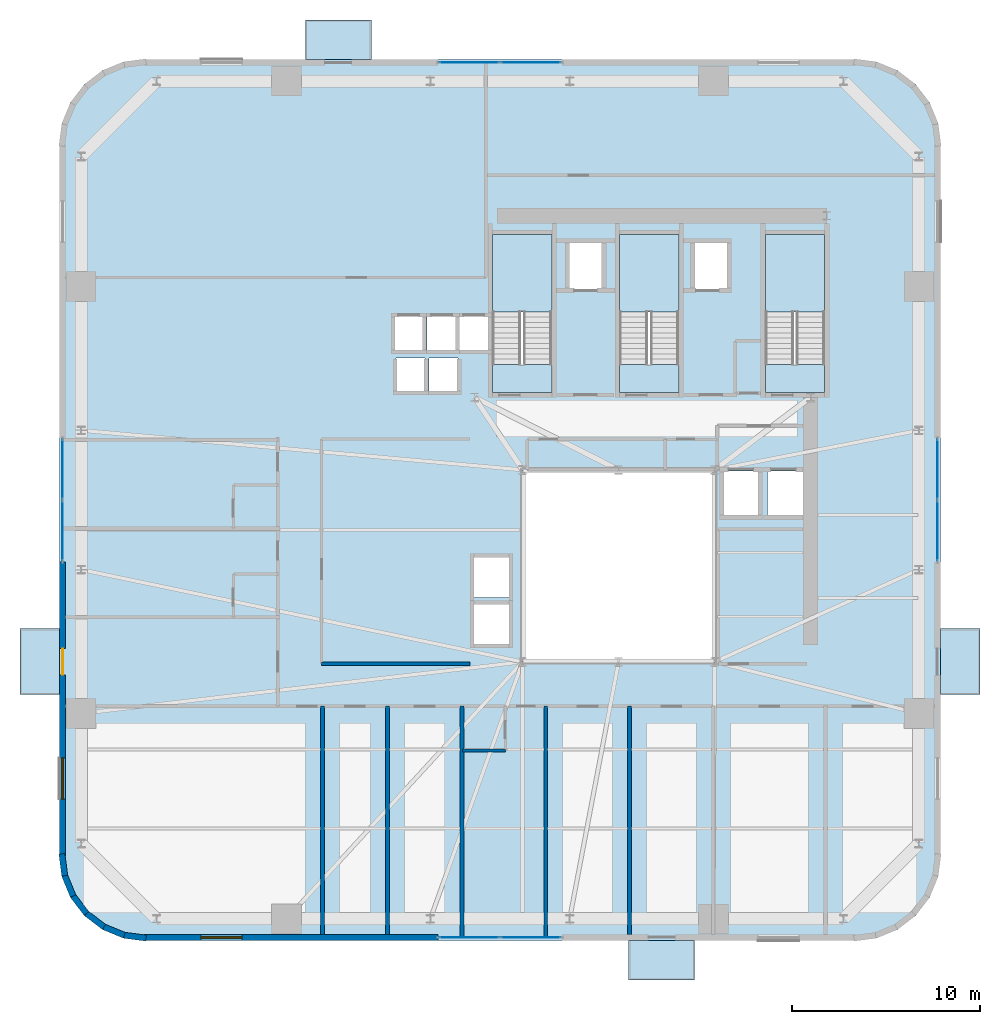
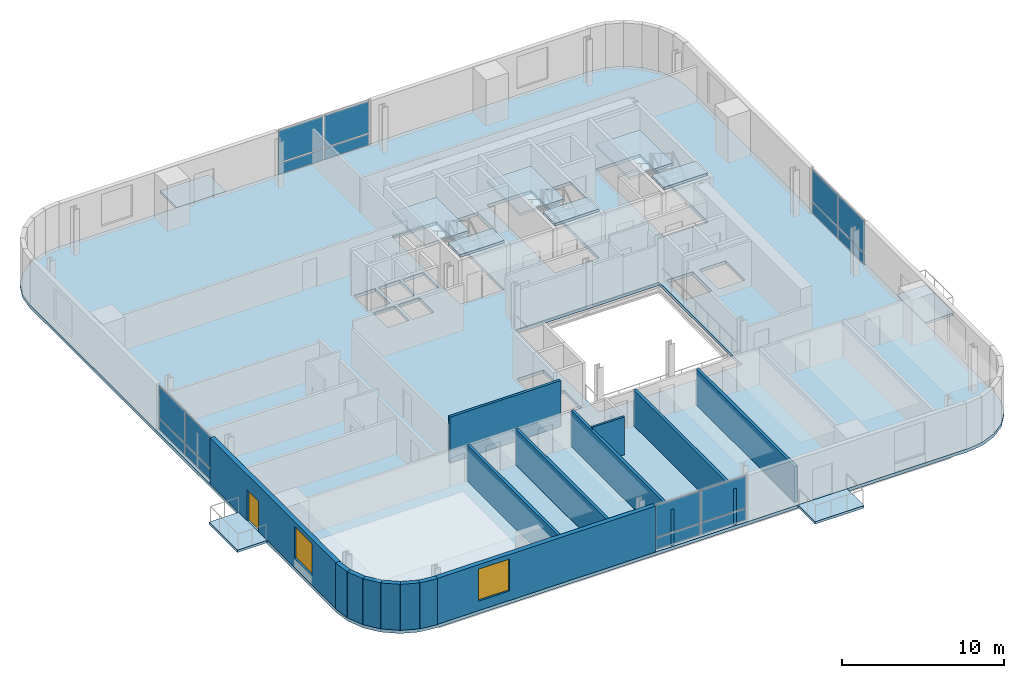
# One storey, part 5 of 14: 16 plates, 15 walls, 11 slabs, 2 windows, 1 door, 3 openings, 7 elements without a shape of their own.
"""IFC4 building model written with IfcOpenShell, lengths in metres."""

from ifc_helpers import new_model, si_unit, direction, frame, frame_2d, origin, origin_2d, place, context, subcontext, project, spatial, polyline, rectangle, outline, extrude, source, transform, mapped, material, layer, layer_set, type_object, element, fill, aggregate, save


model = new_model("IFC4")

# Units and contexts
model_context = context("Model", 3, precision=1e-05, world=origin(), true_north=direction((0.0, 1.0)))
body_context = subcontext(model_context, "Body", "Model", "MODEL_VIEW")
ifc_project = project(units=[si_unit("LENGTHUNIT", "METRE"), si_unit("AREAUNIT", "SQUARE_METRE"), si_unit("VOLUMEUNIT", "CUBIC_METRE"), si_unit("PLANEANGLEUNIT", "RADIAN"), si_unit("MASSUNIT", "GRAM", prefix="KILO")], contexts=[model_context])

# Site, building, storey
site_placement = place(None, origin())
site = spatial("IfcSite", under=ifc_project, at=site_placement, CompositionType="ELEMENT")
building_placement = place(site_placement, origin())
building = spatial("IfcBuilding", under=site, at=building_placement, Name="Vardaveli Station Tower", CompositionType="ELEMENT")
storey_placement = place(building_placement, frame((0.0, 0.0, 129.800048828125)))
storey = spatial("IfcBuildingStorey", under=building, at=storey_placement, Name="L33", CompositionType="ELEMENT", Elevation=129.800048828125)

# Stair, slabs
ifc_material_1 = material(Name="Concrete C40/50", Category="concrete")
stair_type = type_object("IfcStairType", Name="STR-CORE-1500", PredefinedType="HALF_TURN_STAIR", material=ifc_material_1)
stair_1_placement = place(storey_placement, origin())
stair_1 = element("IfcStair", 1, at=stair_1_placement, inside=storey, type_object=stair_type, Name="L33 ST-1", PredefinedType="HALF_TURN_STAIR")
ifc_layer_1 = layer(ifc_material_1, 0.199951171875, Name="Concrete C40/50")
ifc_layer_set_1 = layer_set([ifc_layer_1], Name="Concrete C40/50")
slab_type_1 = type_object("IfcSlabType", Name="SLB-LAND-200", PredefinedType="LANDING", material=ifc_layer_set_1)
slab_1_placement = place(storey_placement, frame((0.0, 0.0, 1.64990234375)))
slab_1 = element("IfcSlab", 2, at=slab_1_placement, type_object=slab_type_1, Name="ST-1 landing 1", PredefinedType="LANDING", context=body_context, shape_type="SweptSolid", body=[
    extrude(outline(polyline([(32.75, 35.199951171875), (32.75, 39.300048828125), (29.60009765625, 39.300048828125), (29.60009765625, 35.199951171875), (32.75, 35.199951171875)])), origin(), (0.0, 0.0, 1.0), 0.199951171875),
])
slab_2_placement = place(storey_placement, frame((0.0, 0.0, 3.5)))
slab_2 = element("IfcSlab", 3, at=slab_2_placement, type_object=slab_type_1, Name="ST-1 landing 2", PredefinedType="LANDING", context=body_context, shape_type="SweptSolid", body=[
    extrude(outline(polyline([(32.75, 30.89990234375), (32.75, 32.39990234375), (29.60009765625, 32.39990234375), (29.60009765625, 30.89990234375), (32.75, 30.89990234375)])), origin(), (0.0, 0.0, 1.0), 0.199951171875),
])
aggregate(stair_1, [slab_1, slab_2])

stair_2_placement = place(storey_placement, origin())
stair_2 = element("IfcStair", 4, at=stair_2_placement, inside=storey, type_object=stair_type, Name="L33 ST-2", PredefinedType="HALF_TURN_STAIR")
slab_3_placement = place(storey_placement, frame((0.0, 0.0, 1.64990234375)))
slab_3 = element("IfcSlab", 5, at=slab_3_placement, type_object=slab_type_1, Name="ST-2 landing 1", PredefinedType="LANDING", context=body_context, shape_type="SweptSolid", body=[
    extrude(outline(polyline([(39.5, 35.199951171875), (39.5, 39.300048828125), (36.35009765625, 39.300048828125), (36.35009765625, 35.199951171875), (39.5, 35.199951171875)])), origin(), (0.0, 0.0, 1.0), 0.199951171875),
])
slab_4_placement = place(storey_placement, frame((0.0, 0.0, 3.5)))
slab_4 = element("IfcSlab", 6, at=slab_4_placement, type_object=slab_type_1, Name="ST-2 landing 2", PredefinedType="LANDING", context=body_context, shape_type="SweptSolid", body=[
    extrude(outline(polyline([(39.5, 30.89990234375), (39.5, 32.39990234375), (36.35009765625, 32.39990234375), (36.35009765625, 30.89990234375), (39.5, 30.89990234375)])), origin(), (0.0, 0.0, 1.0), 0.199951171875),
])
aggregate(stair_2, [slab_3, slab_4])

stair_3_placement = place(storey_placement, origin())
stair_3 = element("IfcStair", 7, at=stair_3_placement, inside=storey, type_object=stair_type, Name="L33 ST-3", PredefinedType="HALF_TURN_STAIR")
slab_5_placement = place(storey_placement, frame((0.0, 0.0, 1.64990234375)))
slab_5 = element("IfcSlab", 8, at=slab_5_placement, type_object=slab_type_1, Name="ST-3 landing 1", PredefinedType="LANDING", context=body_context, shape_type="SweptSolid", body=[
    extrude(outline(polyline([(47.25, 35.199951171875), (47.25, 39.300048828125), (44.10009765625, 39.300048828125), (44.10009765625, 35.199951171875), (47.25, 35.199951171875)])), origin(), (0.0, 0.0, 1.0), 0.199951171875),
])
slab_6_placement = place(storey_placement, frame((0.0, 0.0, 3.5)))
slab_6 = element("IfcSlab", 9, at=slab_6_placement, type_object=slab_type_1, Name="ST-3 landing 2", PredefinedType="LANDING", context=body_context, shape_type="SweptSolid", body=[
    extrude(outline(polyline([(47.25, 30.89990234375), (47.25, 32.39990234375), (44.10009765625, 32.39990234375), (44.10009765625, 30.89990234375), (47.25, 30.89990234375)])), origin(), (0.0, 0.0, 1.0), 0.199951171875),
])
aggregate(stair_3, [slab_5, slab_6])

# Slabs
ifc_material_2 = material(Name="Precast concrete C45/55", Category="concrete")
ifc_layer_2 = layer(ifc_material_2, 0.179931640625, Name="Precast concrete C45/55")
ifc_layer_set_2 = layer_set([ifc_layer_2], Name="Precast concrete C45/55")
slab_type_2 = type_object("IfcSlabType", Name="SLB-LOGGIA-180", PredefinedType="FLOOR", material=ifc_layer_set_2)
slab_7_placement = place(storey_placement, frame((0.0, 0.0, -0.179931640625)))
element("IfcSlab", 10, at=slab_7_placement, inside=storey, type_object=slab_type_2, Name="LOG-L33-S", PredefinedType="FLOOR", context=body_context, shape_type="SweptSolid", body=[
    extrude(outline(polyline([(36.839599609375, -0.300048828125), (40.339599609375, -0.300048828125), (40.339599609375, 1.800048828125), (36.839599609375, 1.800048828125), (36.839599609375, -0.300048828125)])), origin(), (0.0, 0.0, 1.0), 0.179931640625),
])
slab_8_placement = place(storey_placement, frame((0.0, 0.0, -0.179931640625)))
element("IfcSlab", 11, at=slab_8_placement, inside=storey, type_object=slab_type_2, Name="LOG-L33-N", PredefinedType="FLOOR", context=body_context, shape_type="SweptSolid", body=[
    extrude(outline(polyline([(19.660400390625, 48.60009765625), (23.160400390625, 48.60009765625), (23.160400390625, 50.699951171875), (19.660400390625, 50.699951171875), (19.660400390625, 48.60009765625)])), origin(), (0.0, 0.0, 1.0), 0.179931640625),
])
slab_9_placement = place(storey_placement, frame((0.0, 0.0, -0.179931640625)))
element("IfcSlab", 12, at=slab_9_placement, inside=storey, type_object=slab_type_2, Name="LOG-L33-W", PredefinedType="FLOOR", context=body_context, shape_type="SweptSolid", body=[
    extrude(outline(polyline([(4.5, 14.8603515625), (6.60009765625, 14.8603515625), (6.60009765625, 18.3603515625), (4.5, 18.3603515625), (4.5, 14.8603515625)])), origin(), (0.0, 0.0, 1.0), 0.179931640625),
])
slab_10_placement = place(storey_placement, frame((0.0, 0.0, -0.179931640625)))
element("IfcSlab", 13, at=slab_10_placement, inside=storey, type_object=slab_type_2, Name="LOG-L33-E", PredefinedType="FLOOR", context=body_context, shape_type="SweptSolid", body=[
    extrude(outline(polyline([(53.39990234375, 14.8603515625), (55.5, 14.8603515625), (55.5, 18.3603515625), (53.39990234375, 18.3603515625), (53.39990234375, 14.8603515625)])), origin(), (0.0, 0.0, 1.0), 0.179931640625),
])
ifc_layer_3 = layer(ifc_material_1, 0.239990234375, Name="Concrete C40/50")
ifc_layer_set_3 = layer_set([ifc_layer_3], Name="Concrete C40/50")
slab_type_3 = type_object("IfcSlabType", Name="SLB-TOW-240", PredefinedType="FLOOR", material=ifc_layer_set_3)
slab_11_placement = place(storey_placement, frame((0.0, 0.0, -0.239990234375)))
element("IfcSlab", 14, at=slab_11_placement, inside=storey, type_object=slab_type_3, Name="SLB-L33-MAIN", PredefinedType="FLOOR", context=body_context, shape_type="SweptSolid", body=[
    extrude(outline(polyline([(6.60009765625, 6.300048828125), (6.75341796875, 5.13525390625), (7.202880859375, 4.050048828125), (7.91796875, 3.117919921875), (8.85009765625, 2.40283203125), (9.935302734375, 1.953369140625), (11.10009765625, 1.800048828125), (48.89990234375, 1.800048828125), (50.064697265625, 1.953369140625), (51.14990234375, 2.40283203125), (52.08203125, 3.117919921875), (52.797119140625, 4.050048828125), (53.24658203125, 5.13525390625), (53.39990234375, 6.300048828125), (53.39990234375, 44.10009765625), (53.24658203125, 45.2646484375), (52.797119140625, 46.35009765625), (52.08203125, 47.281982421875), (51.14990234375, 47.9970703125), (50.064697265625, 48.44677734375), (48.89990234375, 48.60009765625), (11.10009765625, 48.60009765625), (9.935302734375, 48.44677734375), (8.85009765625, 47.9970703125), (7.91796875, 47.281982421875), (7.202880859375, 46.35009765625), (6.75341796875, 45.2646484375), (6.60009765625, 44.10009765625), (6.60009765625, 6.300048828125)]), holes=[polyline([(31.199951171875, 16.60009765625), (41.39990234375, 16.60009765625), (41.39990234375, 26.800048828125), (31.199951171875, 26.800048828125), (31.199951171875, 16.60009765625)]), polyline([(32.75, 30.89990234375), (32.75, 39.300048828125), (29.60009765625, 39.300048828125), (29.60009765625, 30.89990234375), (32.75, 30.89990234375)]), polyline([(39.5, 30.89990234375), (39.5, 39.300048828125), (36.35009765625, 39.300048828125), (36.35009765625, 30.89990234375), (39.5, 30.89990234375)]), polyline([(47.25, 30.89990234375), (47.25, 39.300048828125), (44.10009765625, 39.300048828125), (44.10009765625, 30.89990234375), (47.25, 30.89990234375)]), polyline([(24.385009765625, 33.135009765625), (25.9150390625, 33.135009765625), (25.9150390625, 34.965087890625), (24.385009765625, 34.965087890625), (24.385009765625, 33.135009765625)]), polyline([(26.135009765625, 33.135009765625), (27.6650390625, 33.135009765625), (27.6650390625, 34.965087890625), (26.135009765625, 34.965087890625), (26.135009765625, 33.135009765625)]), polyline([(27.8349609375, 33.135009765625), (29.364990234375, 33.135009765625), (29.364990234375, 34.965087890625), (27.8349609375, 34.965087890625), (27.8349609375, 33.135009765625)]), polyline([(33.659912109375, 36.409912109375), (35.43994140625, 36.409912109375), (35.43994140625, 38.889892578125), (33.659912109375, 38.889892578125), (33.659912109375, 36.409912109375)]), polyline([(40.31005859375, 36.409912109375), (42.090087890625, 36.409912109375), (42.090087890625, 38.889892578125), (40.31005859375, 38.889892578125), (40.31005859375, 36.409912109375)]), polyline([(24.485107421875, 30.9599609375), (26.014892578125, 30.9599609375), (26.014892578125, 32.739990234375), (24.485107421875, 32.739990234375), (24.485107421875, 30.9599609375)]), polyline([(26.235107421875, 30.9599609375), (27.764892578125, 30.9599609375), (27.764892578125, 32.739990234375), (26.235107421875, 32.739990234375), (26.235107421875, 30.9599609375)]), polyline([(28.5849609375, 17.510009765625), (30.514892578125, 17.510009765625), (30.514892578125, 19.68994140625), (28.5849609375, 19.68994140625), (28.5849609375, 17.510009765625)]), polyline([(28.5849609375, 20.010009765625), (30.514892578125, 20.010009765625), (30.514892578125, 22.18994140625), (28.5849609375, 22.18994140625), (28.5849609375, 20.010009765625)]), polyline([(41.860107421875, 24.360107421875), (43.739990234375, 24.360107421875), (43.739990234375, 26.739990234375), (41.860107421875, 26.739990234375), (41.860107421875, 24.360107421875)]), polyline([(44.2099609375, 24.360107421875), (46.090087890625, 24.360107421875), (46.090087890625, 26.739990234375), (44.2099609375, 26.739990234375), (44.2099609375, 24.360107421875)])]), origin(), (0.0, 0.0, 1.0), 0.239990234375),
])

# Curtain wall, plates
ifc_material_3 = material(Name="Travertine stone and solar-control glass", Category="masonry")
curtain_wall_type = type_object("IfcCurtainWallType", Name="CW-SYS-2", PredefinedType="NOTDEFINED", material=ifc_material_3)
curtain_wall_1_placement = place(storey_placement, origin())
curtain_wall_1 = element("IfcCurtainWall", 15, at=curtain_wall_1_placement, inside=storey, type_object=curtain_wall_type, Name="CW-L33-S", PredefinedType="NOTDEFINED")
ifc_material_4 = material(Name="Double-glazed low-E solar-control glass", Category="glass")
ifc_layer_4 = layer(ifc_material_4, 0.035888671875, Name="Double-glazed low-E solar-control glass")
ifc_layer_set_4 = layer_set([ifc_layer_4], Name="Double-glazed low-E solar-control glass")
plate_type = type_object("IfcPlateType", Name="CW-SYS-2-PAN", PredefinedType="CURTAIN_PANEL", material=ifc_layer_set_4)
shared_shape_1 = source(origin(), body_context, "Body", "SweptSolid", [
    extrude(rectangle(XDim=3.172607421875, YDim=0.035888671875, at=origin_2d()), origin(), (0.0, 0.0, 1.0), 0.822509765625),
])
plate_1_placement = place(storey_placement, frame((28.371337890625, 1.9599609375, 0.0849609375), z_axis=(0.0, 0.0, 1.0), x_axis=(1.0, 0.0, 0.0)))
plate_1 = element("IfcPlate", 16, at=plate_1_placement, type_object=plate_type, Name="CW-2 panel 1.1", PredefinedType="CURTAIN_PANEL", context=body_context, shape_type="MappedRepresentation", body=[
    mapped(shared_shape_1, transform((0.0, 0.0, 0.0), scale=1.0)),
])
plate_2_placement = place(storey_placement, frame((31.628662109375, 1.9599609375, 0.0849609375), z_axis=(0.0, 0.0, 1.0), x_axis=(1.0, 0.0, 0.0)))
plate_2 = element("IfcPlate", 17, at=plate_2_placement, type_object=plate_type, Name="CW-2 panel 2.1", PredefinedType="CURTAIN_PANEL", context=body_context, shape_type="MappedRepresentation", body=[
    mapped(shared_shape_1, transform((0.0, 0.0, 0.0), scale=1.0)),
])

curtain_wall_2_placement = place(storey_placement, origin())
curtain_wall_2 = element("IfcCurtainWall", 18, at=curtain_wall_2_placement, inside=storey, type_object=curtain_wall_type, Name="CW-L33-N", PredefinedType="NOTDEFINED")
plate_3_placement = place(storey_placement, frame((31.628662109375, 48.43994140625, 0.0849609375), z_axis=(0.0, 0.0, 1.0), x_axis=(-1.0, 0.0, 0.0)))
plate_3 = element("IfcPlate", 19, at=plate_3_placement, type_object=plate_type, Name="CW-2 panel 1.1", PredefinedType="CURTAIN_PANEL", context=body_context, shape_type="MappedRepresentation", body=[
    mapped(shared_shape_1, transform((0.0, 0.0, 0.0), scale=1.0)),
])
plate_4_placement = place(storey_placement, frame((28.371337890625, 48.43994140625, 0.0849609375), z_axis=(0.0, 0.0, 1.0), x_axis=(-1.0, 0.0, 0.0)))
plate_4 = element("IfcPlate", 20, at=plate_4_placement, type_object=plate_type, Name="CW-2 panel 2.1", PredefinedType="CURTAIN_PANEL", context=body_context, shape_type="MappedRepresentation", body=[
    mapped(shared_shape_1, transform((0.0, 0.0, 0.0), scale=1.0)),
])

curtain_wall_3_placement = place(storey_placement, origin())
curtain_wall_3 = element("IfcCurtainWall", 21, at=curtain_wall_3_placement, inside=storey, type_object=curtain_wall_type, Name="CW-L33-W", PredefinedType="NOTDEFINED")
plate_5_placement = place(storey_placement, frame((6.760009765625, 26.828857421875, 0.0849609375), z_axis=(0.0, 0.0, 1.0), x_axis=(0.0, -1.0, 0.0)))
plate_5 = element("IfcPlate", 22, at=plate_5_placement, type_object=plate_type, Name="CW-2 panel 1.1", PredefinedType="CURTAIN_PANEL", context=body_context, shape_type="MappedRepresentation", body=[
    mapped(shared_shape_1, transform((0.0, 0.0, 0.0), scale=1.0)),
])
plate_6_placement = place(storey_placement, frame((6.760009765625, 23.5712890625, 0.0849609375), z_axis=(0.0, 0.0, 1.0), x_axis=(0.0, -1.0, 0.0)))
plate_6 = element("IfcPlate", 23, at=plate_6_placement, type_object=plate_type, Name="CW-2 panel 2.1", PredefinedType="CURTAIN_PANEL", context=body_context, shape_type="MappedRepresentation", body=[
    mapped(shared_shape_1, transform((0.0, 0.0, 0.0), scale=1.0)),
])

curtain_wall_4_placement = place(storey_placement, origin())
curtain_wall_4 = element("IfcCurtainWall", 24, at=curtain_wall_4_placement, inside=storey, type_object=curtain_wall_type, Name="CW-L33-E", PredefinedType="NOTDEFINED")
plate_7_placement = place(storey_placement, frame((53.239990234375, 23.5712890625, 0.0849609375), z_axis=(0.0, 0.0, 1.0), x_axis=(0.0, 1.0, 0.0)))
plate_7 = element("IfcPlate", 25, at=plate_7_placement, type_object=plate_type, Name="CW-2 panel 1.1", PredefinedType="CURTAIN_PANEL", context=body_context, shape_type="MappedRepresentation", body=[
    mapped(shared_shape_1, transform((0.0, 0.0, 0.0), scale=1.0)),
])
plate_8_placement = place(storey_placement, frame((53.239990234375, 26.828857421875, 0.0849609375), z_axis=(0.0, 0.0, 1.0), x_axis=(0.0, 1.0, 0.0)))
plate_8 = element("IfcPlate", 26, at=plate_8_placement, type_object=plate_type, Name="CW-2 panel 2.1", PredefinedType="CURTAIN_PANEL", context=body_context, shape_type="MappedRepresentation", body=[
    mapped(shared_shape_1, transform((0.0, 0.0, 0.0), scale=1.0)),
])

# Plate
shared_shape_2 = source(origin(), body_context, "Body", "SweptSolid", [
    extrude(rectangle(XDim=3.172607421875, YDim=0.035888671875, at=origin_2d()), origin(), (0.0, 0.0, 1.0), 2.382568359375),
])
plate_9_placement = place(storey_placement, frame((28.371337890625, 1.9599609375, 0.9921875), z_axis=(0.0, 0.0, 1.0), x_axis=(1.0, 0.0, 0.0)))
plate_9 = element("IfcPlate", 27, at=plate_9_placement, type_object=plate_type, Name="CW-2 panel 1.2", PredefinedType="CURTAIN_PANEL", context=body_context, shape_type="MappedRepresentation", body=[
    mapped(shared_shape_2, transform((0.0, 0.0, 0.0), scale=1.0)),
])

plate_10_placement = place(storey_placement, frame((31.628662109375, 1.9599609375, 0.9921875), z_axis=(0.0, 0.0, 1.0), x_axis=(1.0, 0.0, 0.0)))
plate_10 = element("IfcPlate", 28, at=plate_10_placement, type_object=plate_type, Name="CW-2 panel 2.2", PredefinedType="CURTAIN_PANEL", context=body_context, shape_type="MappedRepresentation", body=[
    mapped(shared_shape_2, transform((0.0, 0.0, 0.0), scale=1.0)),
])

aggregate(curtain_wall_1, [plate_1, plate_9, plate_2, plate_10])

plate_11_placement = place(storey_placement, frame((31.628662109375, 48.43994140625, 0.9921875), z_axis=(0.0, 0.0, 1.0), x_axis=(-1.0, 0.0, 0.0)))
plate_11 = element("IfcPlate", 29, at=plate_11_placement, type_object=plate_type, Name="CW-2 panel 1.2", PredefinedType="CURTAIN_PANEL", context=body_context, shape_type="MappedRepresentation", body=[
    mapped(shared_shape_2, transform((0.0, 0.0, 0.0), scale=1.0)),
])

plate_12_placement = place(storey_placement, frame((28.371337890625, 48.43994140625, 0.9921875), z_axis=(0.0, 0.0, 1.0), x_axis=(-1.0, 0.0, 0.0)))
plate_12 = element("IfcPlate", 30, at=plate_12_placement, type_object=plate_type, Name="CW-2 panel 2.2", PredefinedType="CURTAIN_PANEL", context=body_context, shape_type="MappedRepresentation", body=[
    mapped(shared_shape_2, transform((0.0, 0.0, 0.0), scale=1.0)),
])

aggregate(curtain_wall_2, [plate_3, plate_11, plate_4, plate_12])

plate_13_placement = place(storey_placement, frame((6.760009765625, 26.828857421875, 0.9921875), z_axis=(0.0, 0.0, 1.0), x_axis=(0.0, -1.0, 0.0)))
plate_13 = element("IfcPlate", 31, at=plate_13_placement, type_object=plate_type, Name="CW-2 panel 1.2", PredefinedType="CURTAIN_PANEL", context=body_context, shape_type="MappedRepresentation", body=[
    mapped(shared_shape_2, transform((0.0, 0.0, 0.0), scale=1.0)),
])

plate_14_placement = place(storey_placement, frame((6.760009765625, 23.5712890625, 0.9921875), z_axis=(0.0, 0.0, 1.0), x_axis=(0.0, -1.0, 0.0)))
plate_14 = element("IfcPlate", 32, at=plate_14_placement, type_object=plate_type, Name="CW-2 panel 2.2", PredefinedType="CURTAIN_PANEL", context=body_context, shape_type="MappedRepresentation", body=[
    mapped(shared_shape_2, transform((0.0, 0.0, 0.0), scale=1.0)),
])

aggregate(curtain_wall_3, [plate_5, plate_13, plate_6, plate_14])

plate_15_placement = place(storey_placement, frame((53.239990234375, 23.5712890625, 0.9921875), z_axis=(0.0, 0.0, 1.0), x_axis=(0.0, 1.0, 0.0)))
plate_15 = element("IfcPlate", 33, at=plate_15_placement, type_object=plate_type, Name="CW-2 panel 1.2", PredefinedType="CURTAIN_PANEL", context=body_context, shape_type="MappedRepresentation", body=[
    mapped(shared_shape_2, transform((0.0, 0.0, 0.0), scale=1.0)),
])

plate_16_placement = place(storey_placement, frame((53.239990234375, 26.828857421875, 0.9921875), z_axis=(0.0, 0.0, 1.0), x_axis=(0.0, 1.0, 0.0)))
plate_16 = element("IfcPlate", 34, at=plate_16_placement, type_object=plate_type, Name="CW-2 panel 2.2", PredefinedType="CURTAIN_PANEL", context=body_context, shape_type="MappedRepresentation", body=[
    mapped(shared_shape_2, transform((0.0, 0.0, 0.0), scale=1.0)),
])

aggregate(curtain_wall_4, [plate_7, plate_15, plate_8, plate_16])

# Wall, opening, window
ifc_layer_5 = layer(ifc_material_2, 0.320068359375, Name="Precast concrete C45/55")
ifc_layer_set_5 = layer_set([ifc_layer_5], Name="Precast concrete C45/55")
wall_type_1 = type_object("IfcWallType", Name="WAL-EXT-STONE-320", PredefinedType="SOLIDWALL", material=ifc_layer_set_5)
shared_shape_3 = source(origin(), body_context, "Body", "SweptSolid", [
    extrude(rectangle(XDim=15.599853515625, YDim=0.320068359375, at=frame_2d((7.7998046875, 0.0))), origin(), (0.0, 0.0, 1.0), 3.4599609375),
])
wall_1_placement = place(storey_placement, frame((11.10009765625, 1.9599609375, 0.0), z_axis=(0.0, 0.0, 1.0), x_axis=(1.0, 0.0, 0.0)))
wall_1 = element("IfcWall", 35, at=wall_1_placement, inside=storey, type_object=wall_type_1, Name="EW-L33-S1", PredefinedType="SOLIDWALL", context=body_context, shape_type="MappedRepresentation", body=[
    mapped(shared_shape_3, transform((0.0, 0.0, 0.0), scale=1.0)),
])
shared_shape_4 = source(origin(), body_context, "Body", "SweptSolid", [
    extrude(rectangle(XDim=2.199951171875, YDim=2.39990234375, at=frame_2d((1.10009765625, 1.199951171875))), frame((0.0, 0.169921875, 0.0), z_axis=(0.0, -1.0, 0.0), x_axis=(1.0, 0.0, 0.0)), (0.0, 0.0, 1.0), 0.340087890625),
])
opening_1_placement = place(wall_1_placement, frame((3.0048828125, 0.0, 0.719970703125)))
opening_1 = element("IfcOpeningElement", 36, at=opening_1_placement, cuts=wall_1, Name="Opening W-03", PredefinedType="OPENING", context=body_context, shape_type="MappedRepresentation", body=[
    mapped(shared_shape_4, transform((0.0, 0.0, 0.0), scale=1.0)),
])
ifc_material_5 = material(Name="Low-E solar-control glass", Category="glass")
window_type = type_object("IfcWindowType", Name="WIN-LOG-2200x2400", PartitioningType="SINGLE_PANEL", PredefinedType="WINDOW", material=ifc_material_5)
shared_shape_5 = source(origin(), body_context, "Body", "SweptSolid", [
    extrude(rectangle(XDim=2.199951171875, YDim=2.39990234375, at=frame_2d((1.10009765625, 1.199951171875))), frame((0.0, 0.030029296875, 0.0), z_axis=(0.0, -1.0, 0.0), x_axis=(1.0, 0.0, 0.0)), (0.0, 0.0, 1.0), 0.06005859375),
])
window_1_placement = place(opening_1_placement, origin())
window_1 = element("IfcWindow", 37, at=window_1_placement, inside=storey, type_object=window_type, Name="WN-L33-S1", OverallHeight=2.39990234375, OverallWidth=2.199951171875, PartitioningType="SINGLE_PANEL", PredefinedType="WINDOW", context=body_context, shape_type="MappedRepresentation", body=[
    mapped(shared_shape_5, transform((0.0, 0.0, 0.0), scale=1.0)),
])
fill(opening_1, window_1)

# Wall, openings, door, window
wall_2_placement = place(storey_placement, frame((6.760009765625, 21.89990234375, 0.0), z_axis=(0.0, 0.0, 1.0), x_axis=(0.0, -1.0, 0.0)))
wall_2 = element("IfcWall", 38, at=wall_2_placement, inside=storey, type_object=wall_type_1, Name="EW-L33-W2", PredefinedType="SOLIDWALL", context=body_context, shape_type="MappedRepresentation", body=[
    mapped(shared_shape_3, transform((0.0, 0.0, 0.0), scale=1.0)),
])
shared_shape_6 = source(origin(), body_context, "Body", "SweptSolid", [
    extrude(rectangle(XDim=1.39990234375, YDim=2.300048828125, at=frame_2d((0.699951171875, 1.14990234375))), frame((0.0, 0.169921875, 0.0), z_axis=(0.0, -1.0, 0.0), x_axis=(1.0, 0.0, 0.0)), (0.0, 0.0, 1.0), 0.340087890625),
])
opening_2_placement = place(wall_2_placement, frame((4.589599609375, 0.0, 0.0)))
opening_2 = element("IfcOpeningElement", 39, at=opening_2_placement, cuts=wall_2, Name="Opening D-09", PredefinedType="OPENING", context=body_context, shape_type="MappedRepresentation", body=[
    mapped(shared_shape_6, transform((0.0, 0.0, 0.0), scale=1.0)),
])
opening_3_placement = place(wall_2_placement, frame((10.39501953125, 0.0, 0.719970703125)))
opening_3 = element("IfcOpeningElement", 40, at=opening_3_placement, cuts=wall_2, Name="Opening W-03", PredefinedType="OPENING", context=body_context, shape_type="MappedRepresentation", body=[
    mapped(shared_shape_4, transform((0.0, 0.0, 0.0), scale=1.0)),
])
ifc_material_6 = material(Name="Thermally broken aluminium glass", Category="aluminium")
door_type = type_object("IfcDoorType", Name="DR-LOG-1400x2300", OperationType="DOUBLE_DOOR_SLIDING", PredefinedType="DOOR", material=ifc_material_6)
shared_shape_7 = source(origin(), body_context, "Body", "SweptSolid", [
    extrude(rectangle(XDim=1.39990234375, YDim=2.300048828125, at=frame_2d((0.699951171875, 1.14990234375))), frame((0.0, 0.02490234375, 0.0), z_axis=(0.0, -1.0, 0.0), x_axis=(1.0, 0.0, 0.0)), (0.0, 0.0, 1.0), 0.050048828125),
])
door_placement = place(opening_2_placement, frame((1.39990234375, 0.0, 0.0), z_axis=(0.0, 0.0, 1.0), x_axis=(-1.0, 0.0, 0.0)))
door = element("IfcDoor", 41, at=door_placement, inside=storey, type_object=door_type, Name="DLG-L33-W", OperationType="DOUBLE_DOOR_SLIDING", OverallHeight=2.300048828125, OverallWidth=1.39990234375, PredefinedType="DOOR", context=body_context, shape_type="MappedRepresentation", body=[
    mapped(shared_shape_7, transform((0.0, 0.0, 0.0), scale=1.0)),
])
fill(opening_2, door)
window_2_placement = place(opening_3_placement, origin())
window_2 = element("IfcWindow", 42, at=window_2_placement, inside=storey, type_object=window_type, Name="WN-L33-W2", OverallHeight=2.39990234375, OverallWidth=2.199951171875, PartitioningType="SINGLE_PANEL", PredefinedType="WINDOW", context=body_context, shape_type="MappedRepresentation", body=[
    mapped(shared_shape_5, transform((0.0, 0.0, 0.0), scale=1.0)),
])
fill(opening_3, window_2)

# Walls
shared_shape_8 = source(origin(), body_context, "Body", "SweptSolid", [
    extrude(rectangle(XDim=1.170654296875, YDim=0.320068359375, at=frame_2d((0.58544921875, 0.0))), origin(), (0.0, 0.0, 1.0), 3.4599609375),
])
wall_3_placement = place(storey_placement, frame((6.724365234375, 6.400634765625, 0.0), z_axis=(0.0, 0.0, 1.0), x_axis=(0.128269133229, -0.991739395941, 0.0)))
element("IfcWall", 43, at=wall_3_placement, inside=storey, type_object=wall_type_1, Name="EW-L33-CR1-1", PredefinedType="SOLIDWALL", context=body_context, shape_type="MappedRepresentation", body=[
    mapped(shared_shape_8, transform((0.0, 0.0, 0.0), scale=1.0)),
])
shared_shape_9 = source(origin(), body_context, "Body", "SweptSolid", [
    extrude(rectangle(XDim=1.1689453125, YDim=0.320068359375, at=frame_2d((0.58447265625, 0.0))), origin(), (0.0, 0.0, 1.0), 3.4599609375),
])
for number, where, z_axis, x_axis, name in (
    (44, (6.87451171875, 5.23974609375, 0.0), (0.0, 0.0, 1.0), (0.381127904695, -0.924522320046, 0.0), "EW-L33-CR1-2"),
    (45, (7.320068359375, 4.158935546875, 0.0), (0.0, 0.0, 1.0), (0.608387696831, -0.793639975269, 0.0), "EW-L33-CR1-3"),
):
    element("IfcWall", number, at=place(storey_placement, frame(where, z_axis=z_axis, x_axis=x_axis)), inside=storey, type_object=wall_type_1, Name=name, PredefinedType="SOLIDWALL", context=body_context, shape_type="MappedRepresentation", body=[
        mapped(shared_shape_9, transform((0.0, 0.0, 0.0), scale=1.0)),
    ])
shared_shape_10 = source(origin(), body_context, "Body", "SweptSolid", [
    extrude(rectangle(XDim=1.168701171875, YDim=0.320068359375, at=frame_2d((0.58447265625, 0.0))), origin(), (0.0, 0.0, 1.0), 3.4599609375),
])
wall_4_placement = place(storey_placement, frame((8.03125, 3.231201171875, 0.0), z_axis=(0.0, 0.0, 1.0), x_axis=(0.793663520347, -0.608356981114, 0.0)))
element("IfcWall", 46, at=wall_4_placement, inside=storey, type_object=wall_type_1, Name="EW-L33-CR1-4", PredefinedType="SOLIDWALL", context=body_context, shape_type="MappedRepresentation", body=[
    mapped(shared_shape_10, transform((0.0, 0.0, 0.0), scale=1.0)),
])
shared_shape_11 = source(origin(), body_context, "Body", "SweptSolid", [
    extrude(rectangle(XDim=1.16943359375, YDim=0.320068359375, at=frame_2d((0.584716796875, 0.0))), origin(), (0.0, 0.0, 1.0), 3.4599609375),
])
wall_5_placement = place(storey_placement, frame((8.958740234375, 2.520263671875, 0.0), z_axis=(0.0, 0.0, 1.0), x_axis=(0.924479075121, -0.381232789334, 0.0)))
element("IfcWall", 47, at=wall_5_placement, inside=storey, type_object=wall_type_1, Name="EW-L33-CR1-5", PredefinedType="SOLIDWALL", context=body_context, shape_type="MappedRepresentation", body=[
    mapped(shared_shape_11, transform((0.0, 0.0, 0.0), scale=1.0)),
])
shared_shape_12 = source(origin(), body_context, "Body", "SweptSolid", [
    extrude(rectangle(XDim=1.170166015625, YDim=0.320068359375, at=frame_2d((0.5849609375, 0.0))), origin(), (0.0, 0.0, 1.0), 3.4599609375),
])
wall_6_placement = place(storey_placement, frame((10.039794921875, 2.074462890625, 0.0), z_axis=(0.0, 0.0, 1.0), x_axis=(0.991762485493, -0.128090485085, 0.0)))
element("IfcWall", 48, at=wall_6_placement, inside=storey, type_object=wall_type_1, Name="EW-L33-CR1-6", PredefinedType="SOLIDWALL", context=body_context, shape_type="MappedRepresentation", body=[
    mapped(shared_shape_12, transform((0.0, 0.0, 0.0), scale=1.0)),
])
ifc_material_7 = material(Name="Fire-rated gypsum stud partition")
ifc_layer_6 = layer(ifc_material_7, 0.179931640625, Name="Fire-rated gypsum stud partition")
ifc_layer_set_6 = layer_set([ifc_layer_6], Name="Fire-rated gypsum stud partition")
wall_type_2 = type_object("IfcWallType", Name="WAL-CORR-180", PredefinedType="PARTITIONING", material=ifc_layer_set_6)
shared_shape_13 = source(origin(), body_context, "Body", "SweptSolid", [
    extrude(rectangle(XDim=7.8798828125, YDim=0.179931640625, at=frame_2d((3.93994140625, 0.0))), origin(), (0.0, 0.0, 1.0), 3.4599609375),
])
wall_7_placement = place(storey_placement, frame((20.52001953125, 16.5, 0.0), z_axis=(0.0, 0.0, 1.0), x_axis=(1.0, 0.0, 0.0)))
element("IfcWall", 49, at=wall_7_placement, inside=storey, type_object=wall_type_2, Name="W-L33-ATW-S", PredefinedType="PARTITIONING", context=body_context, shape_type="MappedRepresentation", body=[
    mapped(shared_shape_13, transform((0.0, 0.0, 0.0), scale=1.0)),
])
ifc_material_8 = material(Name="Moisture-resistant stud partition")
ifc_layer_7 = layer(ifc_material_8, 0.14990234375, Name="Moisture-resistant stud partition")
ifc_layer_set_7 = layer_set([ifc_layer_7], Name="Moisture-resistant stud partition")
wall_type_3 = type_object("IfcWallType", Name="WAL-WET-150", PredefinedType="PARTITIONING", material=ifc_layer_set_7)
shared_shape_14 = source(origin(), body_context, "Body", "SweptSolid", [
    extrude(rectangle(XDim=2.289794921875, YDim=0.14990234375, at=frame_2d((1.14501953125, 0.0))), origin(), (0.0, 0.0, 1.0), 2.85205078125),
])
wall_8_placement = place(storey_placement, frame((27.99609375, 11.889892578125, 0.0), z_axis=(0.0, 0.0, 1.0), x_axis=(1.0, 0.0, 0.0)))
element("IfcWall", 50, at=wall_8_placement, inside=storey, type_object=wall_type_3, Name="W-L33-BS4-S", PredefinedType="PARTITIONING", context=body_context, shape_type="MappedRepresentation", body=[
    mapped(shared_shape_14, transform((0.0, 0.0, 0.0), scale=1.0)),
])
ifc_material_9 = material(Name="Acoustic twin-stud gypsum partition")
ifc_layer_8 = layer(ifc_material_9, 0.199951171875, Name="Acoustic twin-stud gypsum partition")
ifc_layer_set_8 = layer_set([ifc_layer_8], Name="Acoustic twin-stud gypsum partition")
wall_type_4 = type_object("IfcWallType", Name="WAL-PARTY-200", PredefinedType="PARTITIONING", material=ifc_layer_set_8)
shared_shape_15 = source(origin(), body_context, "Body", "SweptSolid", [
    extrude(rectangle(XDim=12.1279296875, YDim=0.199951171875, at=frame_2d((6.06396484375, 0.0))), origin(), (0.0, 0.0, 1.0), 2.701904296875),
])
for number, where, z_axis, x_axis, name in (
    (51, (20.570068359375, 2.1220703125, 0.0), (0.0, 0.0, 1.0), (0.0, 1.0, 0.0), "W-L33-PS1"),
    (52, (24.02001953125, 2.1220703125, 0.0), (0.0, 0.0, 1.0), (0.0, 1.0, 0.0), "W-L33-PS2"),
    (53, (36.882080078125, 2.1220703125, 0.0), (0.0, 0.0, 1.0), (0.0, 1.0, 0.0), "W-L33-PS5"),
):
    element("IfcWall", number, at=place(storey_placement, frame(where, z_axis=z_axis, x_axis=x_axis)), inside=storey, type_object=wall_type_4, Name=name, PredefinedType="PARTITIONING", context=body_context, shape_type="MappedRepresentation", body=[
        mapped(shared_shape_15, transform((0.0, 0.0, 0.0), scale=1.0)),
    ])
shared_shape_16 = source(origin(), body_context, "Body", "SweptSolid", [
    extrude(rectangle(XDim=12.320068359375, YDim=0.199951171875, at=frame_2d((6.16015625, 0.0))), origin(), (0.0, 0.0, 1.0), 2.701904296875),
])
for number, where, z_axis, x_axis, name in (
    (54, (27.97607421875, 1.929931640625, 0.0), (0.0, 0.0, 1.0), (0.0, 1.0, 0.0), "W-L33-PS3"),
    (55, (32.428955078125, 1.929931640625, 0.0), (0.0, 0.0, 1.0), (0.0, 1.0, 0.0), "W-L33-PS4"),
):
    element("IfcWall", number, at=place(storey_placement, frame(where, z_axis=z_axis, x_axis=x_axis)), inside=storey, type_object=wall_type_4, Name=name, PredefinedType="PARTITIONING", context=body_context, shape_type="MappedRepresentation", body=[
        mapped(shared_shape_16, transform((0.0, 0.0, 0.0), scale=1.0)),
    ])

save(model, "model.ifc")
